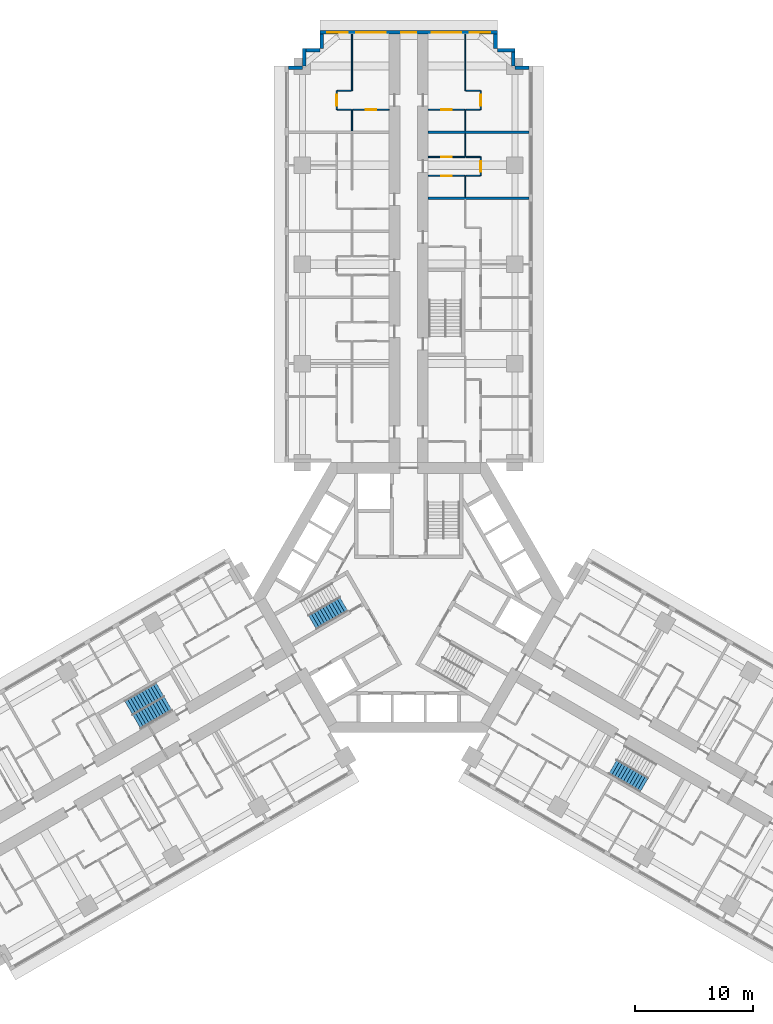
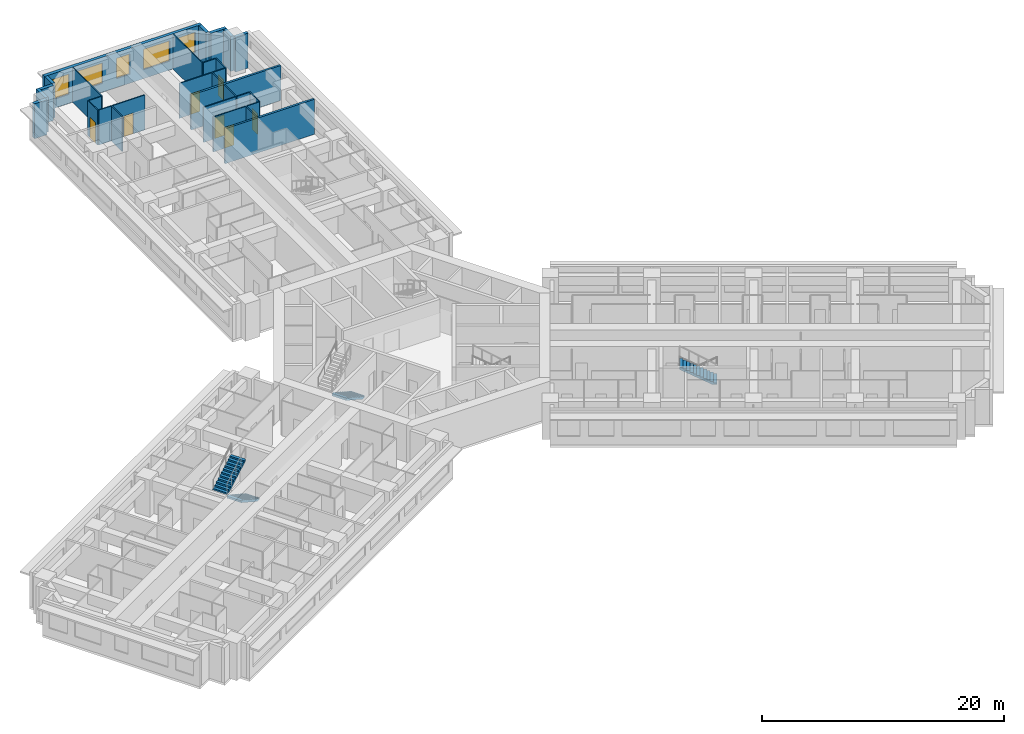
# One storey, part 14 of 16: 30 walls, 7 doors, 5 windows, 4 stair flights, 12 openings, 3 elements without a shape of their own.
"""IFC4 building model written with IfcOpenShell, lengths in metres."""

from ifc_helpers import new_model, si_unit, direction, frame, frame_2d, origin, place, context, subcontext, project, spatial, polyline, rectangle, outline, extrude, material, layer, layer_set, type_object, element, fill, aggregate, save


model = new_model("IFC4")

# Units and contexts
model_context = context("Model", 3, precision=1e-05, world=origin(), true_north=direction((0.0, 1.0)))
body_context = subcontext(model_context, "Body", "Model", "MODEL_VIEW")
ifc_project = project(units=[si_unit("LENGTHUNIT", "METRE"), si_unit("AREAUNIT", "SQUARE_METRE"), si_unit("VOLUMEUNIT", "CUBIC_METRE"), si_unit("PLANEANGLEUNIT", "RADIAN"), si_unit("MASSUNIT", "GRAM", prefix="KILO")], contexts=[model_context])

# Site, building, storey
site_placement = place(None, origin())
site = spatial("IfcSite", under=ifc_project, at=site_placement, CompositionType="ELEMENT")
building_placement = place(site_placement, origin())
building = spatial("IfcBuilding", under=site, at=building_placement, Name="Impinga Residences", CompositionType="ELEMENT")
storey_placement = place(building_placement, frame((0.0, 0.0, 63.5)))
storey = spatial("IfcBuildingStorey", under=building, at=storey_placement, Name="L15", CompositionType="ELEMENT", Elevation=63.5)

# Walls
ifc_material_1 = material(Name="Terracotta rainscreen on blockwork", Category="masonry")
ifc_layer_1 = layer(ifc_material_1, 0.300048828125)
ifc_layer_set_1 = layer_set([ifc_layer_1], Name="EW1 external wall, terracotta rainscreen on blockwork 300")
wall_type_1 = type_object("IfcWallType", Name="EW1 external wall, terracotta rainscreen on blockwork 300", PredefinedType="SOLIDWALL", material=ifc_layer_set_1)
wall_1_placement = place(storey_placement, frame((-10.199951171875, 44.881591796875, 0.0), z_axis=(0.0, 0.0, 1.0), x_axis=(1.0, 0.0, 0.0)))
element("IfcWall", 1, at=wall_1_placement, inside=storey, type_object=wall_type_1, Name="External wall EW1 L15", PredefinedType="SOLIDWALL", context=body_context, shape_type="SweptSolid", body=[
    extrude(rectangle(XDim=1.199951171875, YDim=0.300048828125, at=frame_2d((0.60009765625, 0.0))), origin(), (0.0, 0.0, 1.0), 3.530029296875),
])
wall_2_placement = place(storey_placement, frame((-8.85009765625, 45.03662109375, 0.0), z_axis=(0.0, 0.0, 1.0), x_axis=(0.0, 1.0, 0.0)))
element("IfcWall", 2, at=wall_2_placement, inside=storey, type_object=wall_type_1, Name="External wall EW1 L15", PredefinedType="SOLIDWALL", context=body_context, shape_type="SweptSolid", body=[
    extrude(rectangle(XDim=1.494873046875, YDim=0.300048828125, at=frame_2d((0.74755859375, 0.0))), origin(), (0.0, 0.0, 1.0), 3.530029296875),
])
wall_3_placement = place(storey_placement, frame((-8.699951171875, 46.381591796875, 0.0), z_axis=(0.0, 0.0, 1.0), x_axis=(1.0, 0.0, 0.0)))
element("IfcWall", 3, at=wall_3_placement, inside=storey, type_object=wall_type_1, Name="External wall EW1 L15", PredefinedType="SOLIDWALL", context=body_context, shape_type="SweptSolid", body=[
    extrude(rectangle(XDim=1.199951171875, YDim=0.300048828125, at=frame_2d((0.60009765625, 0.0))), origin(), (0.0, 0.0, 1.0), 3.530029296875),
])
wall_4_placement = place(storey_placement, frame((-7.35009765625, 46.53662109375, 0.0), z_axis=(0.0, 0.0, 1.0), x_axis=(0.0, 1.0, 0.0)))
element("IfcWall", 4, at=wall_4_placement, inside=storey, type_object=wall_type_1, Name="External wall EW1 L15", PredefinedType="SOLIDWALL", context=body_context, shape_type="SweptSolid", body=[
    extrude(rectangle(XDim=1.19482421875, YDim=0.300048828125, at=frame_2d((0.597412109375, 0.0))), origin(), (0.0, 0.0, 1.0), 3.530029296875),
])

# Wall, openings, windows
wall_5_placement = place(storey_placement, frame((-7.5, 47.881591796875, 0.0), z_axis=(0.0, 0.0, 1.0), x_axis=(1.0, 0.0, 0.0)))
wall_5 = element("IfcWall", 5, at=wall_5_placement, inside=storey, type_object=wall_type_1, Name="External wall EW1 L15", PredefinedType="SOLIDWALL", context=body_context, shape_type="SweptSolid", body=[
    extrude(rectangle(XDim=15.0, YDim=0.300048828125, at=frame_2d((7.5, 0.0))), origin(), (0.0, 0.0, 1.0), 3.530029296875),
])
opening_1_placement = place(wall_5_placement, frame((0.60009765625, 0.0, 0.89990234375)))
opening_1 = element("IfcOpeningElement", 6, at=opening_1_placement, cuts=wall_5, Name="Opening W1", PredefinedType="OPENING", context=body_context, shape_type="SweptSolid", body=[
    extrude(rectangle(XDim=1.75, YDim=2.050048828125, at=frame_2d((0.875, 1.02490234375))), frame((0.0, 0.159912109375, 0.0), z_axis=(0.0, -1.0, 0.0), x_axis=(1.0, 0.0, 0.0)), (0.0, 0.0, 1.0), 0.320068359375),
])
opening_2_placement = place(wall_5_placement, frame((3.050048828125, 0.0, 0.89990234375)))
opening_2 = element("IfcOpeningElement", 7, at=opening_2_placement, cuts=wall_5, Name="Opening W2", PredefinedType="OPENING", context=body_context, shape_type="SweptSolid", body=[
    extrude(rectangle(XDim=2.5, YDim=2.050048828125, at=frame_2d((1.25, 1.02490234375))), frame((0.0, 0.159912109375, 0.0), z_axis=(0.0, -1.0, 0.0), x_axis=(1.0, 0.0, 0.0)), (0.0, 0.0, 1.0), 0.320068359375),
])
opening_3_placement = place(wall_5_placement, frame((6.85009765625, 0.0, 0.89990234375)))
opening_3 = element("IfcOpeningElement", 8, at=opening_3_placement, cuts=wall_5, Name="Opening WE1", PredefinedType="OPENING", context=body_context, shape_type="SweptSolid", body=[
    extrude(rectangle(XDim=1.300048828125, YDim=2.050048828125, at=frame_2d((0.64990234375, 1.02490234375))), frame((0.0, 0.159912109375, 0.0), z_axis=(0.0, -1.0, 0.0), x_axis=(1.0, 0.0, 0.0)), (0.0, 0.0, 1.0), 0.320068359375),
])
opening_4_placement = place(wall_5_placement, frame((9.449951171875, 0.0, 0.89990234375)))
opening_4 = element("IfcOpeningElement", 9, at=opening_4_placement, cuts=wall_5, Name="Opening W2", PredefinedType="OPENING", context=body_context, shape_type="SweptSolid", body=[
    extrude(rectangle(XDim=2.5, YDim=2.050048828125, at=frame_2d((1.25, 1.02490234375))), frame((0.0, 0.159912109375, 0.0), z_axis=(0.0, -1.0, 0.0), x_axis=(1.0, 0.0, 0.0)), (0.0, 0.0, 1.0), 0.320068359375),
])
opening_5_placement = place(wall_5_placement, frame((12.64990234375, 0.0, 0.89990234375)))
opening_5 = element("IfcOpeningElement", 10, at=opening_5_placement, cuts=wall_5, Name="Opening W1", PredefinedType="OPENING", context=body_context, shape_type="SweptSolid", body=[
    extrude(rectangle(XDim=1.75, YDim=2.050048828125, at=frame_2d((0.875, 1.02490234375))), frame((0.0, 0.159912109375, 0.0), z_axis=(0.0, -1.0, 0.0), x_axis=(1.0, 0.0, 0.0)), (0.0, 0.0, 1.0), 0.320068359375),
])
ifc_material_2 = material(Name="Aluminium window, clear double glazing", Category="aluminium")
window_type_1 = type_object("IfcWindowType", Name="W1 ribbon window 1750x2050", PartitioningType="SINGLE_PANEL", PredefinedType="WINDOW", material=ifc_material_2)
window_1_placement = place(opening_1_placement, origin())
window_1 = element("IfcWindow", 11, at=window_1_placement, inside=storey, type_object=window_type_1, Name="Window L15", OverallHeight=2.050048828125, OverallWidth=1.75, PartitioningType="SINGLE_PANEL", PredefinedType="WINDOW", context=body_context, shape_type="SweptSolid", body=[
    extrude(rectangle(XDim=1.75, YDim=2.050048828125, at=frame_2d((0.875, 1.02490234375))), frame((0.0, 0.030029296875, 0.0), z_axis=(0.0, -1.0, 0.0), x_axis=(1.0, 0.0, 0.0)), (0.0, 0.0, 1.0), 0.06005859375),
])
fill(opening_1, window_1)
window_2_placement = place(opening_5_placement, origin())
window_2 = element("IfcWindow", 12, at=window_2_placement, inside=storey, type_object=window_type_1, Name="Window L15", OverallHeight=2.050048828125, OverallWidth=1.75, PartitioningType="SINGLE_PANEL", PredefinedType="WINDOW", context=body_context, shape_type="SweptSolid", body=[
    extrude(rectangle(XDim=1.75, YDim=2.050048828125, at=frame_2d((0.875, 1.02490234375))), frame((0.0, 0.030029296875, 0.0), z_axis=(0.0, -1.0, 0.0), x_axis=(1.0, 0.0, 0.0)), (0.0, 0.0, 1.0), 0.06005859375),
])
fill(opening_5, window_2)
window_type_2 = type_object("IfcWindowType", Name="W2 ribbon window 2500x2050", PartitioningType="SINGLE_PANEL", PredefinedType="WINDOW", material=ifc_material_2)
window_3_placement = place(opening_2_placement, origin())
window_3 = element("IfcWindow", 13, at=window_3_placement, inside=storey, type_object=window_type_2, Name="Window L15", OverallHeight=2.050048828125, OverallWidth=2.5, PartitioningType="SINGLE_PANEL", PredefinedType="WINDOW", context=body_context, shape_type="SweptSolid", body=[
    extrude(rectangle(XDim=2.5, YDim=2.050048828125, at=frame_2d((1.25, 1.02490234375))), frame((0.0, 0.030029296875, 0.0), z_axis=(0.0, -1.0, 0.0), x_axis=(1.0, 0.0, 0.0)), (0.0, 0.0, 1.0), 0.06005859375),
])
fill(opening_2, window_3)
window_4_placement = place(opening_4_placement, origin())
window_4 = element("IfcWindow", 14, at=window_4_placement, inside=storey, type_object=window_type_2, Name="Window L15", OverallHeight=2.050048828125, OverallWidth=2.5, PartitioningType="SINGLE_PANEL", PredefinedType="WINDOW", context=body_context, shape_type="SweptSolid", body=[
    extrude(rectangle(XDim=2.5, YDim=2.050048828125, at=frame_2d((1.25, 1.02490234375))), frame((0.0, 0.030029296875, 0.0), z_axis=(0.0, -1.0, 0.0), x_axis=(1.0, 0.0, 0.0)), (0.0, 0.0, 1.0), 0.06005859375),
])
fill(opening_4, window_4)
window_type_3 = type_object("IfcWindowType", Name="WE1 corridor window 1300x2050", PartitioningType="SINGLE_PANEL", PredefinedType="WINDOW", material=ifc_material_2)
window_5_placement = place(opening_3_placement, origin())
window_5 = element("IfcWindow", 15, at=window_5_placement, inside=storey, type_object=window_type_3, Name="Window L15", OverallHeight=2.050048828125, OverallWidth=1.300048828125, PartitioningType="SINGLE_PANEL", PredefinedType="WINDOW", context=body_context, shape_type="SweptSolid", body=[
    extrude(rectangle(XDim=1.300048828125, YDim=2.050048828125, at=frame_2d((0.64990234375, 1.02490234375))), frame((0.0, 0.030029296875, 0.0), z_axis=(0.0, -1.0, 0.0), x_axis=(1.0, 0.0, 0.0)), (0.0, 0.0, 1.0), 0.06005859375),
])
fill(opening_3, window_5)

# Walls
wall_6_placement = place(storey_placement, frame((7.35009765625, 47.7314453125, 0.0), z_axis=(0.0, 0.0, 1.0), x_axis=(0.0, -1.0, 0.0)))
element("IfcWall", 16, at=wall_6_placement, inside=storey, type_object=wall_type_1, Name="External wall EW1 L15", PredefinedType="SOLIDWALL", context=body_context, shape_type="SweptSolid", body=[
    extrude(rectangle(XDim=1.19482421875, YDim=0.300048828125, at=frame_2d((0.597412109375, 0.0))), origin(), (0.0, 0.0, 1.0), 3.530029296875),
])
wall_7_placement = place(storey_placement, frame((7.5, 46.381591796875, 0.0), z_axis=(0.0, 0.0, 1.0), x_axis=(1.0, 0.0, 0.0)))
element("IfcWall", 17, at=wall_7_placement, inside=storey, type_object=wall_type_1, Name="External wall EW1 L15", PredefinedType="SOLIDWALL", context=body_context, shape_type="SweptSolid", body=[
    extrude(rectangle(XDim=1.5, YDim=0.300048828125, at=frame_2d((0.75, 0.0))), origin(), (0.0, 0.0, 1.0), 3.530029296875),
])
wall_8_placement = place(storey_placement, frame((8.85009765625, 46.2314453125, 0.0), z_axis=(0.0, 0.0, 1.0), x_axis=(0.0, -1.0, 0.0)))
element("IfcWall", 18, at=wall_8_placement, inside=storey, type_object=wall_type_1, Name="External wall EW1 L15", PredefinedType="SOLIDWALL", context=body_context, shape_type="SweptSolid", body=[
    extrude(rectangle(XDim=1.199951171875, YDim=0.300048828125, at=frame_2d((0.60009765625, 0.0))), origin(), (0.0, 0.0, 1.0), 3.530029296875),
])
wall_9_placement = place(storey_placement, frame((9.0048828125, 44.881591796875, 0.0), z_axis=(0.0, 0.0, 1.0), x_axis=(1.0, 0.0, 0.0)))
element("IfcWall", 19, at=wall_9_placement, inside=storey, type_object=wall_type_1, Name="External wall EW1 L15", PredefinedType="SOLIDWALL", context=body_context, shape_type="SweptSolid", body=[
    extrude(rectangle(XDim=1.195068359375, YDim=0.300048828125, at=frame_2d((0.59765625, 0.0))), origin(), (0.0, 0.0, 1.0), 3.530029296875),
])
ifc_material_3 = material(Name="Gypsum board on steel studs", Category="steel")
ifc_layer_2 = layer(ifc_material_3, 0.10009765625)
ifc_layer_set_2 = layer_set([ifc_layer_2], Name="Gypsum board on steel studs")
wall_type_2 = type_object("IfcWallType", Name="IP1 partition 100", PredefinedType="PARTITIONING", material=ifc_layer_set_2)
wall_10_placement = place(storey_placement, frame((-4.800048828125, 39.531494140625, 0.0), z_axis=(0.0, 0.0, 1.0), x_axis=(0.0, 1.0, 0.0)))
element("IfcWall", 20, at=wall_10_placement, inside=storey, type_object=wall_type_2, Name="Partition L15-NA5:DIV0", PredefinedType="PARTITIONING", context=body_context, shape_type="SweptSolid", body=[
    extrude(rectangle(XDim=1.800048828125, YDim=0.10009765625, at=frame_2d((0.89990234375, 0.0))), origin(), (0.0, 0.0, 1.0), 3.530029296875),
])
wall_11_placement = place(storey_placement, frame((-4.800048828125, 42.931640625, 0.0), z_axis=(0.0, 0.0, 1.0), x_axis=(0.0, 1.0, 0.0)))
element("IfcWall", 21, at=wall_11_placement, inside=storey, type_object=wall_type_2, Name="Partition L15-NA5:DIV1", PredefinedType="PARTITIONING", context=body_context, shape_type="SweptSolid", body=[
    extrude(rectangle(XDim=4.7998046875, YDim=0.10009765625, at=frame_2d((2.39990234375, 0.0))), origin(), (0.0, 0.0, 1.0), 3.530029296875),
])

# Wall, opening, door
wall_12_placement = place(storey_placement, frame((-6.10009765625, 41.33154296875, 0.0), z_axis=(0.0, 0.0, 1.0), x_axis=(0.0, 1.0, 0.0)))
wall_12 = element("IfcWall", 22, at=wall_12_placement, inside=storey, type_object=wall_type_2, Name="Partition L15-NA5:STRIP", PredefinedType="PARTITIONING", context=body_context, shape_type="SweptSolid", body=[
    extrude(rectangle(XDim=1.60009765625, YDim=0.10009765625, at=frame_2d((0.800048828125, 0.0))), origin(), (0.0, 0.0, 1.0), 3.530029296875),
])
opening_6_placement = place(wall_12_placement, frame((0.35009765625, 0.0, 0.0)))
opening_6 = element("IfcOpeningElement", 23, at=opening_6_placement, cuts=wall_12, Name="Opening D2", PredefinedType="OPENING", context=body_context, shape_type="SweptSolid", body=[
    extrude(rectangle(XDim=0.89990234375, YDim=2.10009765625, at=frame_2d((0.449951171875, 1.050048828125))), frame((0.0, 0.06005859375, 0.0), z_axis=(0.0, -1.0, 0.0), x_axis=(1.0, 0.0, 0.0)), (0.0, 0.0, 1.0), 0.1201171875),
])
ifc_material_4 = material(Name="Timber door set", Category="wood")
door_type = type_object("IfcDoorType", Name="D2 internal door 900x2100", OperationType="SINGLE_SWING_LEFT", PredefinedType="DOOR", material=ifc_material_4)
door_1_placement = place(opening_6_placement, origin())
door_1 = element("IfcDoor", 24, at=door_1_placement, inside=storey, type_object=door_type, Name="Apartment L15-NA5 room door", OperationType="SINGLE_SWING_LEFT", OverallHeight=2.10009765625, OverallWidth=0.89990234375, PredefinedType="DOOR", context=body_context, shape_type="SweptSolid", body=[
    extrude(rectangle(XDim=0.89990234375, YDim=2.10009765625, at=frame_2d((0.449951171875, 1.050048828125))), frame((0.0, 0.02490234375, 0.0), z_axis=(0.0, -1.0, 0.0), x_axis=(1.0, 0.0, 0.0)), (0.0, 0.0, 1.0), 0.050048828125),
])
fill(opening_6, door_1)

# Walls
for number, where, z_axis, x_axis, name in (
    (25, (-4.85009765625, 41.33154296875, 0.0), (0.0, 0.0, 1.0), (-1.0, 0.0, 0.0), "Partition L15-NA5:SE0"),
    (26, (-4.85009765625, 42.931640625, 0.0), (0.0, 0.0, 1.0), (-1.0, 0.0, 0.0), "Partition L15-NA5:SE1"),
):
    element("IfcWall", number, at=place(storey_placement, frame(where, z_axis=z_axis, x_axis=x_axis)), inside=storey, type_object=wall_type_2, Name=name, PredefinedType="PARTITIONING", context=body_context, shape_type="SweptSolid", body=[
        extrude(rectangle(XDim=1.199951171875, YDim=0.10009765625, at=frame_2d((0.60009765625, 0.0))), origin(), (0.0, 0.0, 1.0), 3.530029296875),
    ])

# Wall, opening, door
wall_13_placement = place(storey_placement, frame((-1.64990234375, 41.33154296875, 0.0), z_axis=(0.0, 0.0, 1.0), x_axis=(-1.0, 0.0, 0.0)))
wall_13 = element("IfcWall", 27, at=wall_13_placement, inside=storey, type_object=wall_type_2, Name="Partition L15-NA5:IB1", PredefinedType="PARTITIONING", context=body_context, shape_type="SweptSolid", body=[
    extrude(rectangle(XDim=3.10009765625, YDim=0.10009765625, at=frame_2d((1.550048828125, 0.0))), origin(), (0.0, 0.0, 1.0), 3.530029296875),
])
opening_7_placement = place(wall_13_placement, frame((1.10009765625, 0.0, 0.0)))
opening_7 = element("IfcOpeningElement", 28, at=opening_7_placement, cuts=wall_13, Name="Opening D2", PredefinedType="OPENING", context=body_context, shape_type="SweptSolid", body=[
    extrude(rectangle(XDim=0.89990234375, YDim=2.10009765625, at=frame_2d((0.449951171875, 1.050048828125))), frame((0.0, 0.06005859375, 0.0), z_axis=(0.0, -1.0, 0.0), x_axis=(1.0, 0.0, 0.0)), (0.0, 0.0, 1.0), 0.1201171875),
])
door_2_placement = place(opening_7_placement, origin())
door_2 = element("IfcDoor", 29, at=door_2_placement, inside=storey, type_object=door_type, Name="Apartment L15-NA5 bathroom door", OperationType="SINGLE_SWING_LEFT", OverallHeight=2.10009765625, OverallWidth=0.89990234375, PredefinedType="DOOR", context=body_context, shape_type="SweptSolid", body=[
    extrude(rectangle(XDim=0.89990234375, YDim=2.10009765625, at=frame_2d((0.449951171875, 1.050048828125))), frame((0.0, 0.02490234375, 0.0), z_axis=(0.0, -1.0, 0.0), x_axis=(1.0, 0.0, 0.0)), (0.0, 0.0, 1.0), 0.050048828125),
])
fill(opening_7, door_2)

# Walls
wall_14_placement = place(storey_placement, frame((4.800048828125, 33.931640625, 0.0), z_axis=(0.0, 0.0, 1.0), x_axis=(0.0, 1.0, 0.0)))
element("IfcWall", 30, at=wall_14_placement, inside=storey, type_object=wall_type_2, Name="Partition L15-NF3:DIV0", PredefinedType="PARTITIONING", context=body_context, shape_type="SweptSolid", body=[
    extrude(rectangle(XDim=1.7998046875, YDim=0.10009765625, at=frame_2d((0.89990234375, 0.0))), origin(), (0.0, 0.0, 1.0), 3.530029296875),
])
wall_15_placement = place(storey_placement, frame((4.800048828125, 37.33154296875, 0.0), z_axis=(0.0, 0.0, 1.0), x_axis=(0.0, 1.0, 0.0)))
element("IfcWall", 31, at=wall_15_placement, inside=storey, type_object=wall_type_2, Name="Partition L15-NF3:DIV1", PredefinedType="PARTITIONING", context=body_context, shape_type="SweptSolid", body=[
    extrude(rectangle(XDim=2.0, YDim=0.10009765625, at=frame_2d((1.0, 0.0))), origin(), (0.0, 0.0, 1.0), 3.530029296875),
])

# Wall, opening, door
wall_16_placement = place(storey_placement, frame((6.10009765625, 35.7314453125, 0.0), z_axis=(0.0, 0.0, 1.0), x_axis=(0.0, 1.0, 0.0)))
wall_16 = element("IfcWall", 32, at=wall_16_placement, inside=storey, type_object=wall_type_2, Name="Partition L15-NF3:STRIP", PredefinedType="PARTITIONING", context=body_context, shape_type="SweptSolid", body=[
    extrude(rectangle(XDim=1.60009765625, YDim=0.10009765625, at=frame_2d((0.800048828125, 0.0))), origin(), (0.0, 0.0, 1.0), 3.530029296875),
])
opening_8_placement = place(wall_16_placement, frame((0.35009765625, 0.0, 0.0)))
opening_8 = element("IfcOpeningElement", 33, at=opening_8_placement, cuts=wall_16, Name="Opening D2", PredefinedType="OPENING", context=body_context, shape_type="SweptSolid", body=[
    extrude(rectangle(XDim=0.89990234375, YDim=2.10009765625, at=frame_2d((0.449951171875, 1.050048828125))), frame((0.0, 0.06005859375, 0.0), z_axis=(0.0, -1.0, 0.0), x_axis=(1.0, 0.0, 0.0)), (0.0, 0.0, 1.0), 0.1201171875),
])
door_3_placement = place(opening_8_placement, origin())
door_3 = element("IfcDoor", 34, at=door_3_placement, inside=storey, type_object=door_type, Name="Apartment L15-NF3 room door", OperationType="SINGLE_SWING_LEFT", OverallHeight=2.10009765625, OverallWidth=0.89990234375, PredefinedType="DOOR", context=body_context, shape_type="SweptSolid", body=[
    extrude(rectangle(XDim=0.89990234375, YDim=2.10009765625, at=frame_2d((0.449951171875, 1.050048828125))), frame((0.0, 0.02490234375, 0.0), z_axis=(0.0, -1.0, 0.0), x_axis=(1.0, 0.0, 0.0)), (0.0, 0.0, 1.0), 0.050048828125),
])
fill(opening_8, door_3)

# Walls
for number, where, z_axis, x_axis, name in (
    (35, (4.85009765625, 35.7314453125, 0.0), (0.0, 0.0, 1.0), (1.0, 0.0, 0.0), "Partition L15-NF3:SE0"),
    (36, (4.85009765625, 37.33154296875, 0.0), (0.0, 0.0, 1.0), (1.0, 0.0, 0.0), "Partition L15-NF3:SE1"),
):
    element("IfcWall", number, at=place(storey_placement, frame(where, z_axis=z_axis, x_axis=x_axis)), inside=storey, type_object=wall_type_2, Name=name, PredefinedType="PARTITIONING", context=body_context, shape_type="SweptSolid", body=[
        extrude(rectangle(XDim=1.199951171875, YDim=0.10009765625, at=frame_2d((0.60009765625, 0.0))), origin(), (0.0, 0.0, 1.0), 3.530029296875),
    ])

# Wall, opening, door
wall_17_placement = place(storey_placement, frame((1.64990234375, 35.7314453125, 0.0), z_axis=(0.0, 0.0, 1.0), x_axis=(1.0, 0.0, 0.0)))
wall_17 = element("IfcWall", 37, at=wall_17_placement, inside=storey, type_object=wall_type_2, Name="Partition L15-NF3:IB1", PredefinedType="PARTITIONING", context=body_context, shape_type="SweptSolid", body=[
    extrude(rectangle(XDim=3.10009765625, YDim=0.10009765625, at=frame_2d((1.550048828125, 0.0))), origin(), (0.0, 0.0, 1.0), 3.530029296875),
])
opening_9_placement = place(wall_17_placement, frame((1.10009765625, 0.0, 0.0)))
opening_9 = element("IfcOpeningElement", 38, at=opening_9_placement, cuts=wall_17, Name="Opening D2", PredefinedType="OPENING", context=body_context, shape_type="SweptSolid", body=[
    extrude(rectangle(XDim=0.89990234375, YDim=2.10009765625, at=frame_2d((0.449951171875, 1.050048828125))), frame((0.0, 0.06005859375, 0.0), z_axis=(0.0, -1.0, 0.0), x_axis=(1.0, 0.0, 0.0)), (0.0, 0.0, 1.0), 0.1201171875),
])
door_4_placement = place(opening_9_placement, origin())
door_4 = element("IfcDoor", 39, at=door_4_placement, inside=storey, type_object=door_type, Name="Apartment L15-NF3 bathroom door", OperationType="SINGLE_SWING_LEFT", OverallHeight=2.10009765625, OverallWidth=0.89990234375, PredefinedType="DOOR", context=body_context, shape_type="SweptSolid", body=[
    extrude(rectangle(XDim=0.89990234375, YDim=2.10009765625, at=frame_2d((0.449951171875, 1.050048828125))), frame((0.0, 0.02490234375, 0.0), z_axis=(0.0, -1.0, 0.0), x_axis=(1.0, 0.0, 0.0)), (0.0, 0.0, 1.0), 0.050048828125),
])
fill(opening_9, door_4)

wall_18_placement = place(storey_placement, frame((1.64990234375, 37.33154296875, 0.0), z_axis=(0.0, 0.0, 1.0), x_axis=(1.0, 0.0, 0.0)))
wall_18 = element("IfcWall", 40, at=wall_18_placement, inside=storey, type_object=wall_type_2, Name="Partition L15-NF3:IB2", PredefinedType="PARTITIONING", context=body_context, shape_type="SweptSolid", body=[
    extrude(rectangle(XDim=3.10009765625, YDim=0.10009765625, at=frame_2d((1.550048828125, 0.0))), origin(), (0.0, 0.0, 1.0), 3.530029296875),
])
opening_10_placement = place(wall_18_placement, frame((1.10009765625, 0.0, 0.0)))
opening_10 = element("IfcOpeningElement", 41, at=opening_10_placement, cuts=wall_18, Name="Opening D2", PredefinedType="OPENING", context=body_context, shape_type="SweptSolid", body=[
    extrude(rectangle(XDim=0.89990234375, YDim=2.10009765625, at=frame_2d((0.449951171875, 1.050048828125))), frame((0.0, 0.06005859375, 0.0), z_axis=(0.0, -1.0, 0.0), x_axis=(1.0, 0.0, 0.0)), (0.0, 0.0, 1.0), 0.1201171875),
])
door_5_placement = place(opening_10_placement, origin())
door_5 = element("IfcDoor", 42, at=door_5_placement, inside=storey, type_object=door_type, Name="Apartment L15-NF3 WC door", OperationType="SINGLE_SWING_LEFT", OverallHeight=2.10009765625, OverallWidth=0.89990234375, PredefinedType="DOOR", context=body_context, shape_type="SweptSolid", body=[
    extrude(rectangle(XDim=0.89990234375, YDim=2.10009765625, at=frame_2d((0.449951171875, 1.050048828125))), frame((0.0, 0.02490234375, 0.0), z_axis=(0.0, -1.0, 0.0), x_axis=(1.0, 0.0, 0.0)), (0.0, 0.0, 1.0), 0.050048828125),
])
fill(opening_10, door_5)

# Walls
wall_19_placement = place(storey_placement, frame((4.800048828125, 39.531494140625, 0.0), z_axis=(0.0, 0.0, 1.0), x_axis=(0.0, 1.0, 0.0)))
element("IfcWall", 43, at=wall_19_placement, inside=storey, type_object=wall_type_2, Name="Partition L15-NF4:DIV0", PredefinedType="PARTITIONING", context=body_context, shape_type="SweptSolid", body=[
    extrude(rectangle(XDim=1.800048828125, YDim=0.10009765625, at=frame_2d((0.89990234375, 0.0))), origin(), (0.0, 0.0, 1.0), 3.530029296875),
])
wall_20_placement = place(storey_placement, frame((4.800048828125, 42.931640625, 0.0), z_axis=(0.0, 0.0, 1.0), x_axis=(0.0, 1.0, 0.0)))
element("IfcWall", 44, at=wall_20_placement, inside=storey, type_object=wall_type_2, Name="Partition L15-NF4:DIV1", PredefinedType="PARTITIONING", context=body_context, shape_type="SweptSolid", body=[
    extrude(rectangle(XDim=4.7998046875, YDim=0.10009765625, at=frame_2d((2.39990234375, 0.0))), origin(), (0.0, 0.0, 1.0), 3.530029296875),
])

# Wall, opening, door
wall_21_placement = place(storey_placement, frame((6.10009765625, 41.33154296875, 0.0), z_axis=(0.0, 0.0, 1.0), x_axis=(0.0, 1.0, 0.0)))
wall_21 = element("IfcWall", 45, at=wall_21_placement, inside=storey, type_object=wall_type_2, Name="Partition L15-NF4:STRIP", PredefinedType="PARTITIONING", context=body_context, shape_type="SweptSolid", body=[
    extrude(rectangle(XDim=1.60009765625, YDim=0.10009765625, at=frame_2d((0.800048828125, 0.0))), origin(), (0.0, 0.0, 1.0), 3.530029296875),
])
opening_11_placement = place(wall_21_placement, frame((0.35009765625, 0.0, 0.0)))
opening_11 = element("IfcOpeningElement", 46, at=opening_11_placement, cuts=wall_21, Name="Opening D2", PredefinedType="OPENING", context=body_context, shape_type="SweptSolid", body=[
    extrude(rectangle(XDim=0.89990234375, YDim=2.10009765625, at=frame_2d((0.449951171875, 1.050048828125))), frame((0.0, 0.06005859375, 0.0), z_axis=(0.0, -1.0, 0.0), x_axis=(1.0, 0.0, 0.0)), (0.0, 0.0, 1.0), 0.1201171875),
])
door_6_placement = place(opening_11_placement, origin())
door_6 = element("IfcDoor", 47, at=door_6_placement, inside=storey, type_object=door_type, Name="Apartment L15-NF4 room door", OperationType="SINGLE_SWING_LEFT", OverallHeight=2.10009765625, OverallWidth=0.89990234375, PredefinedType="DOOR", context=body_context, shape_type="SweptSolid", body=[
    extrude(rectangle(XDim=0.89990234375, YDim=2.10009765625, at=frame_2d((0.449951171875, 1.050048828125))), frame((0.0, 0.02490234375, 0.0), z_axis=(0.0, -1.0, 0.0), x_axis=(1.0, 0.0, 0.0)), (0.0, 0.0, 1.0), 0.050048828125),
])
fill(opening_11, door_6)

# Walls
for number, where, z_axis, x_axis, name in (
    (48, (4.85009765625, 41.33154296875, 0.0), (0.0, 0.0, 1.0), (1.0, 0.0, 0.0), "Partition L15-NF4:SE0"),
    (49, (4.85009765625, 42.931640625, 0.0), (0.0, 0.0, 1.0), (1.0, 0.0, 0.0), "Partition L15-NF4:SE1"),
):
    element("IfcWall", number, at=place(storey_placement, frame(where, z_axis=z_axis, x_axis=x_axis)), inside=storey, type_object=wall_type_2, Name=name, PredefinedType="PARTITIONING", context=body_context, shape_type="SweptSolid", body=[
        extrude(rectangle(XDim=1.199951171875, YDim=0.10009765625, at=frame_2d((0.60009765625, 0.0))), origin(), (0.0, 0.0, 1.0), 3.530029296875),
    ])

# Wall, opening, door
wall_22_placement = place(storey_placement, frame((1.64990234375, 41.33154296875, 0.0), z_axis=(0.0, 0.0, 1.0), x_axis=(1.0, 0.0, 0.0)))
wall_22 = element("IfcWall", 50, at=wall_22_placement, inside=storey, type_object=wall_type_2, Name="Partition L15-NF4:IB1", PredefinedType="PARTITIONING", context=body_context, shape_type="SweptSolid", body=[
    extrude(rectangle(XDim=3.10009765625, YDim=0.10009765625, at=frame_2d((1.550048828125, 0.0))), origin(), (0.0, 0.0, 1.0), 3.530029296875),
])
opening_12_placement = place(wall_22_placement, frame((1.10009765625, 0.0, 0.0)))
opening_12 = element("IfcOpeningElement", 51, at=opening_12_placement, cuts=wall_22, Name="Opening D2", PredefinedType="OPENING", context=body_context, shape_type="SweptSolid", body=[
    extrude(rectangle(XDim=0.89990234375, YDim=2.10009765625, at=frame_2d((0.449951171875, 1.050048828125))), frame((0.0, 0.06005859375, 0.0), z_axis=(0.0, -1.0, 0.0), x_axis=(1.0, 0.0, 0.0)), (0.0, 0.0, 1.0), 0.1201171875),
])
door_7_placement = place(opening_12_placement, origin())
door_7 = element("IfcDoor", 52, at=door_7_placement, inside=storey, type_object=door_type, Name="Apartment L15-NF4 bathroom door", OperationType="SINGLE_SWING_LEFT", OverallHeight=2.10009765625, OverallWidth=0.89990234375, PredefinedType="DOOR", context=body_context, shape_type="SweptSolid", body=[
    extrude(rectangle(XDim=0.89990234375, YDim=2.10009765625, at=frame_2d((0.449951171875, 1.050048828125))), frame((0.0, 0.02490234375, 0.0), z_axis=(0.0, -1.0, 0.0), x_axis=(1.0, 0.0, 0.0)), (0.0, 0.0, 1.0), 0.050048828125),
])
fill(opening_12, door_7)

# Walls
ifc_material_5 = material(Name="Concrete blockwork", Category="masonry")
ifc_layer_3 = layer(ifc_material_5, 0.199951171875)
ifc_layer_set_3 = layer_set([ifc_layer_3], Name="PW1 party wall between apartments 200")
wall_type_3 = type_object("IfcWallType", Name="PW1 party wall between apartments 200", PredefinedType="SOLIDWALL", material=ifc_layer_set_3)
for number, where, z_axis, x_axis, name in (
    (53, (1.64990234375, 33.83154296875, 0.0), (0.0, 0.0, 1.0), (1.0, 0.0, 0.0), "Party wall between apartments L15-NF2:PARTY"),
    (54, (1.64990234375, 39.431640625, 0.0), (0.0, 0.0, 1.0), (1.0, 0.0, 0.0), "Party wall between apartments L15-NF3:PARTY"),
):
    element("IfcWall", number, at=place(storey_placement, frame(where, z_axis=z_axis, x_axis=x_axis)), inside=storey, type_object=wall_type_3, Name=name, PredefinedType="SOLIDWALL", context=body_context, shape_type="SweptSolid", body=[
        extrude(rectangle(XDim=8.550048828125, YDim=0.199951171875, at=frame_2d((4.27490234375, 0.0))), origin(), (0.0, 0.0, 1.0), 3.530029296875),
    ])

# Stair, stair flight
ifc_material_6 = material(Name="Concrete C40/50", Category="concrete")
stair_type_1 = type_object("IfcStairType", Name="STR core stair 3750 storey, 24 risers", PredefinedType="HALF_TURN_STAIR", material=ifc_material_6)
stair_1_placement = place(storey_placement, origin())
stair_1 = element("IfcStair", 55, at=stair_1_placement, inside=storey, type_object=stair_type_1, Name="Stair ST2 L15", PredefinedType="HALF_TURN_STAIR")
stair_flight_type = type_object("IfcStairFlightType", Name="SF 12 risers of 156", PredefinedType="STRAIGHT", material=ifc_material_6)
stair_flight_1_placement = place(storey_placement, frame((-5.49365234375, -0.544677734375, 0.0), z_axis=(0.0, 0.0, 1.0), x_axis=(-0.866025403784, -0.5, 0.0)))
stair_flight_1 = element("IfcStairFlight", 56, at=stair_flight_1_placement, type_object=stair_flight_type, Name="ST2 flight 1", NumberOfRisers=12, NumberOfTreads=11, PredefinedType="STRAIGHT", RiserHeight=0.15625, TreadLength=0.28, context=body_context, shape_type="SweptSolid", body=[
    extrude(outline(polyline([(0.0, 0.0), (0.0, 0.15625), (0.280029296875, 0.15625), (0.280029296875, 0.3125), (0.56005859375, 0.3125), (0.56005859375, 0.46875), (0.840087890625, 0.46875), (0.840087890625, 0.625), (1.1201171875, 0.625), (1.1201171875, 0.78125), (1.39990234375, 0.78125), (1.39990234375, 0.9375), (1.679931640625, 0.9375), (1.679931640625, 1.09375), (1.9599609375, 1.09375), (1.9599609375, 1.25), (2.239990234375, 1.25), (2.239990234375, 1.40625), (2.52001953125, 1.40625), (2.52001953125, 1.5625), (2.800048828125, 1.5625), (2.800048828125, 1.71875), (3.080078125, 1.71875), (3.080078125, 1.875), (3.080078125, 1.5126953125), (0.369140625, 0.0), (0.0, 0.0)])), frame((0.0, 0.675048828125, 0.0), z_axis=(0.0, -1.0, 0.0), x_axis=(1.0, 0.0, 0.0)), (0.0, 0.0, 1.0), 1.35009765625),
])
aggregate(stair_1, [stair_flight_1])

# Stair, stair flights
stair_type_2 = type_object("IfcStairType", Name="STR wing stair 3750 storey, 24 risers", PredefinedType="HALF_TURN_STAIR", material=ifc_material_6)
stair_2_placement = place(storey_placement, origin())
stair_2 = element("IfcStair", 57, at=stair_2_placement, inside=storey, type_object=stair_type_2, Name="Stair WS2 L15", PredefinedType="HALF_TURN_STAIR")
stair_flight_2_placement = place(storey_placement, frame((-20.37890625, -8.965576171875, 0.0), z_axis=(0.0, 0.0, 1.0), x_axis=(-0.866025403784, -0.5, 0.0)))
stair_flight_2 = element("IfcStairFlight", 58, at=stair_flight_2_placement, type_object=stair_flight_type, Name="WS2 flight 1", NumberOfRisers=12, NumberOfTreads=11, PredefinedType="STRAIGHT", RiserHeight=0.15625, TreadLength=0.28, context=body_context, shape_type="SweptSolid", body=[
    extrude(outline(polyline([(0.0, 0.0), (0.0, 0.15625), (0.280029296875, 0.15625), (0.280029296875, 0.3125), (0.56005859375, 0.3125), (0.56005859375, 0.46875), (0.840087890625, 0.46875), (0.840087890625, 0.625), (1.1201171875, 0.625), (1.1201171875, 0.78125), (1.39990234375, 0.78125), (1.39990234375, 0.9375), (1.679931640625, 0.9375), (1.679931640625, 1.09375), (1.9599609375, 1.09375), (1.9599609375, 1.25), (2.239990234375, 1.25), (2.239990234375, 1.40625), (2.52001953125, 1.40625), (2.52001953125, 1.5625), (2.800048828125, 1.5625), (2.800048828125, 1.71875), (3.080078125, 1.71875), (3.080078125, 1.875), (3.080078125, 1.5126953125), (0.369140625, 0.0), (0.0, 0.0)])), frame((0.0, 0.675048828125, 0.0), z_axis=(0.0, -1.0, 0.0), x_axis=(1.0, 0.0, 0.0)), (0.0, 0.0, 1.0), 1.35009765625),
])
stair_flight_3_placement = place(storey_placement, frame((-23.721435546875, -9.33642578125, 1.875), z_axis=(0.0, 0.0, 1.0), x_axis=(0.866025403784, 0.5, 0.0)))
stair_flight_3 = element("IfcStairFlight", 59, at=stair_flight_3_placement, type_object=stair_flight_type, Name="WS2 flight 2", NumberOfRisers=12, NumberOfTreads=11, PredefinedType="STRAIGHT", RiserHeight=0.15625, TreadLength=0.28, context=body_context, shape_type="SweptSolid", body=[
    extrude(outline(polyline([(0.0, 0.0), (0.0, 0.15625), (0.280029296875, 0.15625), (0.280029296875, 0.3125), (0.56005859375, 0.3125), (0.56005859375, 0.46875), (0.840087890625, 0.46875), (0.840087890625, 0.625), (1.1201171875, 0.625), (1.1201171875, 0.78125), (1.39990234375, 0.78125), (1.39990234375, 0.9375), (1.679931640625, 0.9375), (1.679931640625, 1.09375), (1.9599609375, 1.09375), (1.9599609375, 1.25), (2.239990234375, 1.25), (2.239990234375, 1.40625), (2.52001953125, 1.40625), (2.52001953125, 1.5625), (2.800048828125, 1.5625), (2.800048828125, 1.71875), (3.080078125, 1.71875), (3.080078125, 1.875), (3.080078125, 1.5126953125), (0.369140625, 0.0), (0.0, 0.0)])), frame((0.0, 0.675048828125, 0.0), z_axis=(0.0, -1.0, 0.0), x_axis=(1.0, 0.0, 0.0)), (0.0, 0.0, 1.0), 1.35009765625),
])
aggregate(stair_2, [stair_flight_2, stair_flight_3])

# Stair, stair flight
stair_3_placement = place(storey_placement, origin())
stair_3 = element("IfcStair", 60, at=stair_3_placement, inside=storey, type_object=stair_type_2, Name="Stair WS3 L15", PredefinedType="HALF_TURN_STAIR")
stair_flight_4_placement = place(storey_placement, frame((19.9462890625, -15.875, 1.875), z_axis=(0.0, 0.0, 1.0), x_axis=(-0.866025403784, 0.5, 0.0)))
stair_flight_4 = element("IfcStairFlight", 61, at=stair_flight_4_placement, type_object=stair_flight_type, Name="WS3 flight 2", NumberOfRisers=12, NumberOfTreads=11, PredefinedType="STRAIGHT", RiserHeight=0.15625, TreadLength=0.28, context=body_context, shape_type="SweptSolid", body=[
    extrude(outline(polyline([(0.0, 0.0), (0.0, 0.15625), (0.280029296875, 0.15625), (0.280029296875, 0.3125), (0.56005859375, 0.3125), (0.56005859375, 0.46875), (0.840087890625, 0.46875), (0.840087890625, 0.625), (1.1201171875, 0.625), (1.1201171875, 0.78125), (1.39990234375, 0.78125), (1.39990234375, 0.9375), (1.679931640625, 0.9375), (1.679931640625, 1.09375), (1.9599609375, 1.09375), (1.9599609375, 1.25), (2.239990234375, 1.25), (2.239990234375, 1.40625), (2.52001953125, 1.40625), (2.52001953125, 1.5625), (2.800048828125, 1.5625), (2.800048828125, 1.71875), (3.080078125, 1.71875), (3.080078125, 1.875), (3.080078125, 1.5126953125), (0.369140625, 0.0), (0.0, 0.0)])), frame((0.0, 0.675048828125, 0.0), z_axis=(0.0, -1.0, 0.0), x_axis=(1.0, 0.0, 0.0)), (0.0, 0.0, 1.0), 1.35009765625),
])
aggregate(stair_3, [stair_flight_4])

save(model, "model.ifc")
